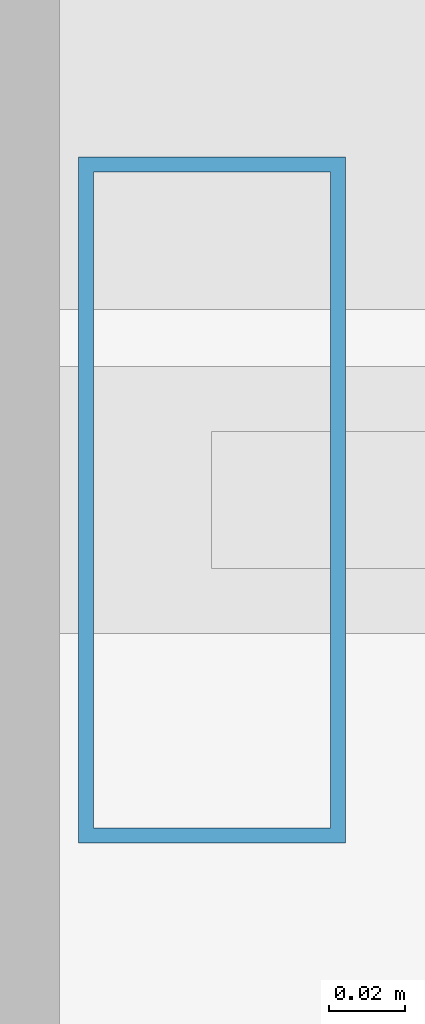
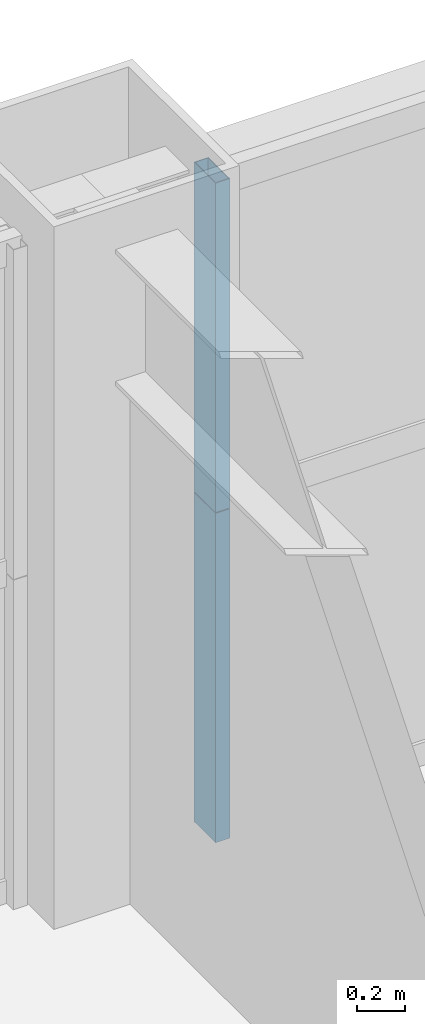
# One storey, part 30 of 43: 2 members, 1 element without a shape of its own.
"""IFC4 building model written with IfcOpenShell, lengths in metres."""

from ifc_helpers import new_model, si_unit, direction, frame, origin, origin_2d, place, context, subcontext, project, spatial, hollow_rectangle, extrude, source, transform, mapped, material, layer, layer_set, material_profile, profile_set, type_object, element, aggregate, save


model = new_model("IFC4")

# Units and contexts
model_context = context("Model", 3, precision=1e-05, world=origin(), true_north=direction((0.0, 1.0)))
body_context = subcontext(model_context, "Body", "Model", "MODEL_VIEW")
ifc_project = project(units=[si_unit("LENGTHUNIT", "METRE"), si_unit("AREAUNIT", "SQUARE_METRE"), si_unit("VOLUMEUNIT", "CUBIC_METRE"), si_unit("PLANEANGLEUNIT", "RADIAN"), si_unit("MASSUNIT", "GRAM", prefix="KILO"), si_unit("THERMODYNAMICTEMPERATUREUNIT", "KELVIN"), si_unit("POWERUNIT", "WATT")], contexts=[model_context])

# Site, building, storey
site_placement = place(None, origin())
site = spatial("IfcSite", under=ifc_project, at=site_placement, CompositionType="ELEMENT")
building_placement = place(site_placement, origin())
building = spatial("IfcBuilding", under=site, at=building_placement, Name="Yuzanri Waterfront Tower", CompositionType="ELEMENT")
storey_placement = place(building_placement, frame((0.0, 0.0, 159.60009765625)))
storey = spatial("IfcBuildingStorey", under=building, at=storey_placement, Name="L42", CompositionType="ELEMENT", Elevation=159.60009765625)

# Curtain wall, members
ifc_material_1 = material(Name="Anodized Architectural Bronze", Category="metal")
ifc_layer = layer(ifc_material_1, 0.159912109375)
ifc_layer_set = layer_set([ifc_layer], Name="Anodized Architectural Bronze")
curtain_wall_type = type_object("IfcCurtainWallType", Name="Anodized Bronze Hotel Upper-Tier Solar-Control Unitized Curtain Wall 7800", PredefinedType="NOTDEFINED", material=ifc_layer_set)
curtain_wall_placement = place(storey_placement, origin())
curtain_wall = element("IfcCurtainWall", 1, at=curtain_wall_placement, inside=storey, type_object=curtain_wall_type, Name="L42 Curtain Wall CW-L42-NR", PredefinedType="NOTDEFINED")
ifc_material_2 = material(Name="Anodized Architectural Bronze", Category="metal")
ifc_material_profile = material_profile(ifc_material_2, hollow_rectangle(XDim=0.070068359375, YDim=0.179931640625, WallThickness=0.00390625, at=origin_2d()), Name="CWM 70x180")
ifc_profile_set = profile_set([ifc_material_profile], Name="Anodized Architectural Bronze")
member_type = type_object("IfcMemberType", Name="Anodized Bronze Standard Curtain-Wall Mullion 70x180", PredefinedType="MULLION", material=ifc_profile_set)
shared_shape = source(origin(), body_context, "Body", "SweptSolid", [
    extrude(hollow_rectangle(XDim=0.070068359375, YDim=0.179931640625, WallThickness=0.00390625, at=origin_2d()), origin(), (0.0, 0.0, 1.0), 1.68798828125),
])
member_1_placement = place(storey_placement, frame((37.489990234375, 49.25, 0.0), z_axis=(0.0, 0.0, 1.0), x_axis=(1.0, 0.0, 0.0)))
member_1 = element("IfcMember", 2, at=member_1_placement, type_object=member_type, Name="CW-L42-NR Lower Mullion 00", PredefinedType="MULLION", context=body_context, shape_type="MappedRepresentation", body=[
    mapped(shared_shape, transform((0.0, 0.0, 0.0), scale=1.0)),
])
member_2_placement = place(storey_placement, frame((37.489990234375, 49.25, 1.69189453125), z_axis=(0.0, 0.0, 1.0), x_axis=(1.0, 0.0, 0.0)))
member_2 = element("IfcMember", 3, at=member_2_placement, type_object=member_type, Name="CW-L42-NR Upper Mullion 00", PredefinedType="MULLION", context=body_context, shape_type="MappedRepresentation", body=[
    mapped(shared_shape, transform((0.0, 0.0, 0.0), scale=1.0)),
])
aggregate(curtain_wall, [member_1, member_2])

save(model, "model.ifc")
